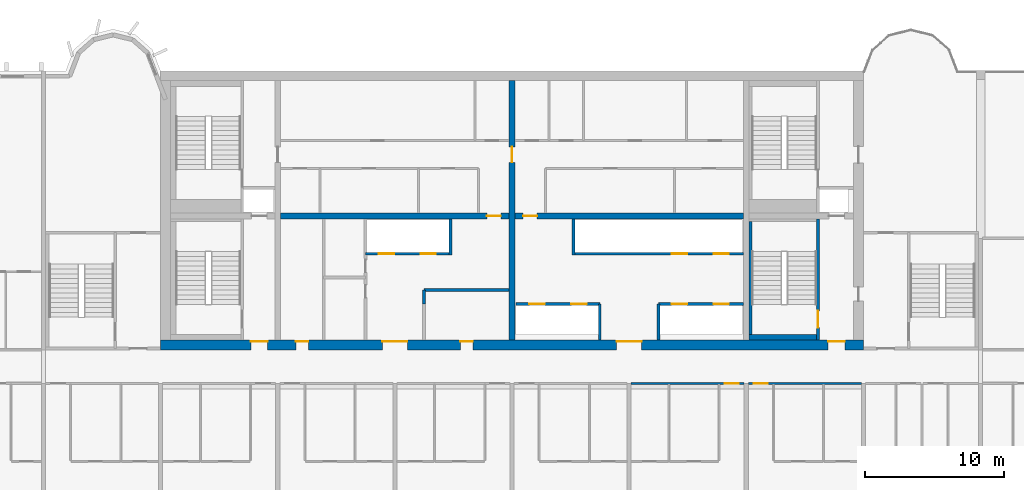
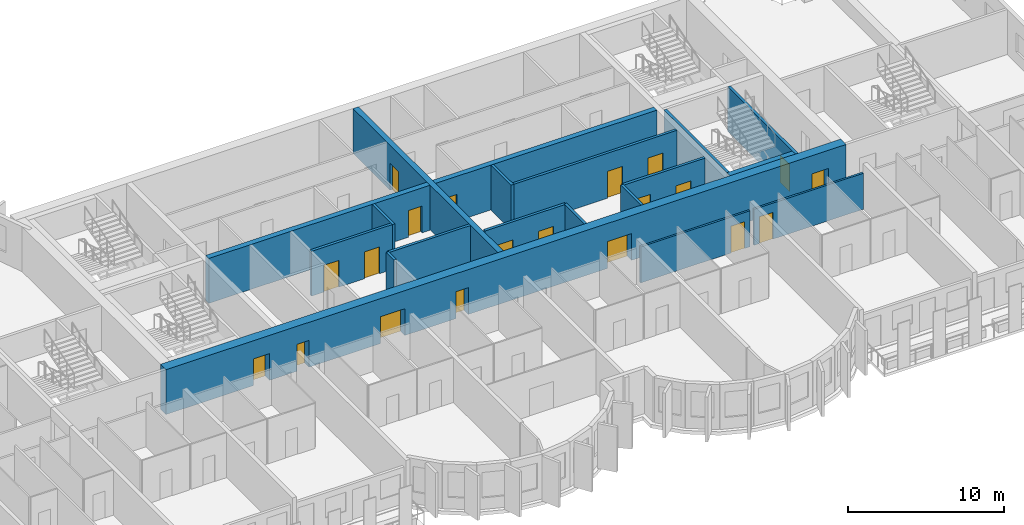
# One storey, part 6 of 13: 20 doors, 19 walls, 20 openings.
"""IFC4 building model written with IfcOpenShell, lengths in metres."""

from ifc_helpers import new_model, si_unit, direction, frame, frame_2d, origin, place, context, subcontext, project, spatial, rectangle, extrude, source, transform, mapped, material, layer, layer_set, type_object, element, fill, save


model = new_model("IFC4")

# Units and contexts
model_context = context("Model", 3, precision=1e-05, world=origin(), true_north=direction((0.0, 1.0)))
body_context = subcontext(model_context, "Body", "Model", "MODEL_VIEW")
ifc_project = project(units=[si_unit("LENGTHUNIT", "METRE"), si_unit("AREAUNIT", "SQUARE_METRE"), si_unit("VOLUMEUNIT", "CUBIC_METRE"), si_unit("PLANEANGLEUNIT", "RADIAN"), si_unit("MASSUNIT", "GRAM", prefix="KILO")], contexts=[model_context])

# Site, building, storey
site_placement = place(None, origin())
site = spatial("IfcSite", under=ifc_project, at=site_placement, CompositionType="ELEMENT")
building_placement = place(site_placement, origin())
building = spatial("IfcBuilding", under=site, at=building_placement, Name="Vanashikhar Sky Hotel", CompositionType="ELEMENT")
storey_placement = place(building_placement, frame((0.0, 0.0, 185.800048828125)))
storey = spatial("IfcBuildingStorey", under=building, at=storey_placement, Name="L45", CompositionType="ELEMENT", Elevation=185.800048828125)

# Wall, opening, door
ifc_material_1 = material(Name="Concrete M60", Category="concrete")
ifc_layer_1 = layer(ifc_material_1, 0.39990234375)
ifc_layer_set_1 = layer_set([ifc_layer_1], Name="RC core inner wall 400 Concrete M60")
wall_type_1 = type_object("IfcWallType", Name="RC core inner wall 400 Concrete M60", PredefinedType="SHEAR", material=ifc_layer_set_1)
shared_shape_1 = source(origin(), body_context, "Body", "SweptSolid", [
    extrude(rectangle(XDim=18.60009765625, YDim=0.39990234375, at=frame_2d((9.300048828125, 0.0))), origin(), (0.0, 0.0, 1.0), 3.52001953125),
])
wall_1_placement = place(storey_placement, frame((50.39990234375, 22.699951171875, 0.0), z_axis=(0.0, 0.0, 1.0), x_axis=(0.0, 1.0, 0.0)))
wall_1 = element("IfcWall", 1, at=wall_1_placement, inside=storey, type_object=wall_type_1, Name="KW-L45-KX2", PredefinedType="SHEAR", context=body_context, shape_type="MappedRepresentation", body=[
    mapped(shared_shape_1, transform((0.0, 0.0, 0.0), scale=1.0)),
])
shared_shape_2 = source(origin(), body_context, "Body", "SweptSolid", [
    extrude(rectangle(XDim=1.10009765625, YDim=2.10009765625, at=frame_2d((0.550048828125, 1.050048828125))), frame((0.0, 0.2099609375, 0.0), z_axis=(0.0, -1.0, 0.0), x_axis=(1.0, 0.0, 0.0)), (0.0, 0.0, 1.0), 0.419921875),
])
opening_1_placement = place(wall_1_placement, frame((12.75, 0.0, 0.0)))
opening_1 = element("IfcOpeningElement", 2, at=opening_1_placement, cuts=wall_1, Name="Opening DC-4-C", PredefinedType="OPENING", context=body_context, shape_type="MappedRepresentation", body=[
    mapped(shared_shape_2, transform((0.0, 0.0, 0.0), scale=1.0)),
])
ifc_material_2 = material(Name="Steel", Category="steel")
door_type_1 = type_object("IfcDoorType", Name="Service door 1100 FD60", OperationType="NOTDEFINED", PredefinedType="DOOR", material=ifc_material_2)
shared_shape_3 = source(origin(), body_context, "Body", "SweptSolid", [
    extrude(rectangle(XDim=1.10009765625, YDim=2.10009765625, at=frame_2d((0.550048828125, 1.050048828125))), frame((0.0, 0.02490234375, 0.0), z_axis=(0.0, -1.0, 0.0), x_axis=(1.0, 0.0, 0.0)), (0.0, 0.0, 1.0), 0.050048828125),
])
door_1_placement = place(opening_1_placement, origin())
door_1 = element("IfcDoor", 3, at=door_1_placement, inside=storey, type_object=door_type_1, Name="Service door 1100 FD60", OperationType="SINGLE_SWING_LEFT", OverallHeight=2.10009765625, OverallWidth=1.10009765625, PredefinedType="DOOR", context=body_context, shape_type="MappedRepresentation", body=[
    mapped(shared_shape_3, transform((0.0, 0.0, 0.0), scale=1.0)),
])
fill(opening_1, door_1)

# Wall, openings, doors
ifc_layer_2 = layer(ifc_material_1, 0.699951171875)
ifc_layer_set_2 = layer_set([ifc_layer_2], Name="RC core shell wall 700 Concrete M60")
wall_type_2 = type_object("IfcWallType", Name="RC core shell wall 700 Concrete M60", PredefinedType="SHEAR", material=ifc_layer_set_2)
shared_shape_4 = source(origin(), body_context, "Body", "SweptSolid", [
    extrude(rectangle(XDim=50.400146484375, YDim=0.699951171875, at=frame_2d((25.2001953125, 0.0))), origin(), (0.0, 0.0, 1.0), 3.52001953125),
])
wall_2_placement = place(storey_placement, frame((25.199951171875, 22.35009765625, 0.0), z_axis=(0.0, 0.0, 1.0), x_axis=(1.0, 0.0, 0.0)))
wall_2 = element("IfcWall", 4, at=wall_2_placement, inside=storey, type_object=wall_type_2, Name="KW-L45-KS", PredefinedType="SHEAR", context=body_context, shape_type="MappedRepresentation", body=[
    mapped(shared_shape_4, transform((0.0, 0.0, 0.0), scale=1.0)),
])
shared_shape_5 = source(origin(), body_context, "Body", "SweptSolid", [
    extrude(rectangle(XDim=1.800048828125, YDim=2.10009765625, at=frame_2d((0.89990234375, 1.050048828125))), frame((0.0, 0.35986328125, 0.0), z_axis=(0.0, -1.0, 0.0), x_axis=(1.0, 0.0, 0.0)), (0.0, 0.0, 1.0), 0.719970703125),
])
opening_2_placement = place(wall_2_placement, frame((15.89990234375, 0.0, 0.0)))
opening_2 = element("IfcOpeningElement", 5, at=opening_2_placement, cuts=wall_2, Name="Opening DC-3-A", PredefinedType="OPENING", context=body_context, shape_type="MappedRepresentation", body=[
    mapped(shared_shape_5, transform((0.0, 0.0, 0.0), scale=1.0)),
])
shared_shape_6 = source(origin(), body_context, "Body", "SweptSolid", [
    extrude(rectangle(XDim=0.89990234375, YDim=2.10009765625, at=frame_2d((0.449951171875, 1.050048828125))), frame((0.0, 0.35986328125, 0.0), z_axis=(0.0, -1.0, 0.0), x_axis=(1.0, 0.0, 0.0)), (0.0, 0.0, 1.0), 0.719970703125),
])
opening_3_placement = place(wall_2_placement, frame((9.699951171875, 0.0, 0.0)))
opening_3 = element("IfcOpeningElement", 6, at=opening_3_placement, cuts=wall_2, Name="Opening DC-4-A", PredefinedType="OPENING", context=body_context, shape_type="MappedRepresentation", body=[
    mapped(shared_shape_6, transform((0.0, 0.0, 0.0), scale=1.0)),
])
opening_4_placement = place(wall_2_placement, frame((21.5, 0.0, 0.0)))
opening_4 = element("IfcOpeningElement", 7, at=opening_4_placement, cuts=wall_2, Name="Opening DC-4-A", PredefinedType="OPENING", context=body_context, shape_type="MappedRepresentation", body=[
    mapped(shared_shape_6, transform((0.0, 0.0, 0.0), scale=1.0)),
])
opening_5_placement = place(wall_2_placement, frame((32.699951171875, 0.0, 0.0)))
opening_5 = element("IfcOpeningElement", 8, at=opening_5_placement, cuts=wall_2, Name="Opening DC-3-A", PredefinedType="OPENING", context=body_context, shape_type="MappedRepresentation", body=[
    mapped(shared_shape_5, transform((0.0, 0.0, 0.0), scale=1.0)),
])
shared_shape_7 = source(origin(), body_context, "Body", "SweptSolid", [
    extrude(rectangle(XDim=1.199951171875, YDim=2.10009765625, at=frame_2d((0.60009765625, 1.050048828125))), frame((0.0, 0.35986328125, 0.0), z_axis=(0.0, -1.0, 0.0), x_axis=(1.0, 0.0, 0.0)), (0.0, 0.0, 1.0), 0.719970703125),
])
opening_6_placement = place(wall_2_placement, frame((6.47509765625, 0.0, 0.0)))
opening_6 = element("IfcOpeningElement", 9, at=opening_6_placement, cuts=wall_2, Name="Opening DC-2", PredefinedType="OPENING", context=body_context, shape_type="MappedRepresentation", body=[
    mapped(shared_shape_7, transform((0.0, 0.0, 0.0), scale=1.0)),
])
opening_7_placement = place(wall_2_placement, frame((47.875, 0.0, 0.0)))
opening_7 = element("IfcOpeningElement", 10, at=opening_7_placement, cuts=wall_2, Name="Opening DC-2", PredefinedType="OPENING", context=body_context, shape_type="MappedRepresentation", body=[
    mapped(shared_shape_7, transform((0.0, 0.0, 0.0), scale=1.0)),
])
ifc_material_3 = material(Name="Glass", Category="glass")
door_type_2 = type_object("IfcDoorType", Name="Lift lobby entrance door 1800 FD30S", OperationType="NOTDEFINED", PredefinedType="DOOR", material=ifc_material_3)
shared_shape_8 = source(origin(), body_context, "Body", "SweptSolid", [
    extrude(rectangle(XDim=1.800048828125, YDim=2.10009765625, at=frame_2d((0.89990234375, 1.050048828125))), frame((0.0, 0.27490234375, 0.0), z_axis=(0.0, -1.0, 0.0), x_axis=(1.0, 0.0, 0.0)), (0.0, 0.0, 1.0), 0.050048828125),
])
door_2_placement = place(opening_2_placement, origin())
door_2 = element("IfcDoor", 11, at=door_2_placement, inside=storey, type_object=door_type_2, Name="Lift lobby entrance door 1800 FD30S", OperationType="DOUBLE_DOOR_SINGLE_SWING", OverallHeight=2.10009765625, OverallWidth=1.800048828125, PredefinedType="DOOR", context=body_context, shape_type="MappedRepresentation", body=[
    mapped(shared_shape_8, transform((0.0, 0.0, 0.0), scale=1.0)),
])
fill(opening_2, door_2)
door_3_placement = place(opening_5_placement, origin())
door_3 = element("IfcDoor", 12, at=door_3_placement, inside=storey, type_object=door_type_2, Name="Lift lobby entrance door 1800 FD30S", OperationType="DOUBLE_DOOR_SINGLE_SWING", OverallHeight=2.10009765625, OverallWidth=1.800048828125, PredefinedType="DOOR", context=body_context, shape_type="MappedRepresentation", body=[
    mapped(shared_shape_8, transform((0.0, 0.0, 0.0), scale=1.0)),
])
fill(opening_5, door_3)
door_type_3 = type_object("IfcDoorType", Name="Firefighting lobby door 1200 FD120", OperationType="NOTDEFINED", PredefinedType="DOOR", material=ifc_material_2)
shared_shape_9 = source(origin(), body_context, "Body", "SweptSolid", [
    extrude(rectangle(XDim=1.199951171875, YDim=2.10009765625, at=frame_2d((0.60009765625, 1.050048828125))), frame((0.0, 0.27490234375, 0.0), z_axis=(0.0, -1.0, 0.0), x_axis=(1.0, 0.0, 0.0)), (0.0, 0.0, 1.0), 0.050048828125),
])
door_4_placement = place(opening_6_placement, origin())
door_4 = element("IfcDoor", 13, at=door_4_placement, inside=storey, type_object=door_type_3, Name="Firefighting lobby door 1200 FD120", OperationType="SINGLE_SWING_RIGHT", OverallHeight=2.10009765625, OverallWidth=1.199951171875, PredefinedType="DOOR", context=body_context, shape_type="MappedRepresentation", body=[
    mapped(shared_shape_9, transform((0.0, 0.0, 0.0), scale=1.0)),
])
fill(opening_6, door_4)
door_5_placement = place(opening_7_placement, origin())
door_5 = element("IfcDoor", 14, at=door_5_placement, inside=storey, type_object=door_type_3, Name="Firefighting lobby door 1200 FD120", OperationType="SINGLE_SWING_RIGHT", OverallHeight=2.10009765625, OverallWidth=1.199951171875, PredefinedType="DOOR", context=body_context, shape_type="MappedRepresentation", body=[
    mapped(shared_shape_9, transform((0.0, 0.0, 0.0), scale=1.0)),
])
fill(opening_7, door_5)
door_type_4 = type_object("IfcDoorType", Name="Service door 900 FD60", OperationType="NOTDEFINED", PredefinedType="DOOR", material=ifc_material_2)
shared_shape_10 = source(origin(), body_context, "Body", "SweptSolid", [
    extrude(rectangle(XDim=0.89990234375, YDim=2.10009765625, at=frame_2d((0.449951171875, 1.050048828125))), frame((0.0, 0.27490234375, 0.0), z_axis=(0.0, -1.0, 0.0), x_axis=(1.0, 0.0, 0.0)), (0.0, 0.0, 1.0), 0.050048828125),
])
door_6_placement = place(opening_3_placement, origin())
door_6 = element("IfcDoor", 15, at=door_6_placement, inside=storey, type_object=door_type_4, Name="Service door 900 FD60", OperationType="SINGLE_SWING_LEFT", OverallHeight=2.10009765625, OverallWidth=0.89990234375, PredefinedType="DOOR", context=body_context, shape_type="MappedRepresentation", body=[
    mapped(shared_shape_10, transform((0.0, 0.0, 0.0), scale=1.0)),
])
fill(opening_3, door_6)
door_7_placement = place(opening_4_placement, origin())
door_7 = element("IfcDoor", 16, at=door_7_placement, inside=storey, type_object=door_type_4, Name="Service door 900 FD60", OperationType="SINGLE_SWING_RIGHT", OverallHeight=2.10009765625, OverallWidth=0.89990234375, PredefinedType="DOOR", context=body_context, shape_type="MappedRepresentation", body=[
    mapped(shared_shape_10, transform((0.0, 0.0, 0.0), scale=1.0)),
])
fill(opening_4, door_7)

# Wall, opening, door
shared_shape_11 = source(origin(), body_context, "Body", "SweptSolid", [
    extrude(rectangle(XDim=16.39990234375, YDim=0.39990234375, at=frame_2d((8.199951171875, 0.0))), origin(), (0.0, 0.0, 1.0), 3.52001953125),
])
wall_3_placement = place(storey_placement, frame((33.800048828125, 31.60009765625, 0.0), z_axis=(0.0, 0.0, 1.0), x_axis=(1.0, 0.0, 0.0)))
wall_3 = element("IfcWall", 17, at=wall_3_placement, inside=storey, type_object=wall_type_1, Name="KW-L45-KY2", PredefinedType="SHEAR", context=body_context, shape_type="MappedRepresentation", body=[
    mapped(shared_shape_11, transform((0.0, 0.0, 0.0), scale=1.0)),
])
shared_shape_12 = source(origin(), body_context, "Body", "SweptSolid", [
    extrude(rectangle(XDim=1.0, YDim=2.10009765625, at=frame_2d((0.5, 1.050048828125))), frame((0.0, 0.2099609375, 0.0), z_axis=(0.0, -1.0, 0.0), x_axis=(1.0, 0.0, 0.0)), (0.0, 0.0, 1.0), 0.419921875),
])
opening_8_placement = place(wall_3_placement, frame((14.800048828125, 0.0, 0.0)))
opening_8 = element("IfcOpeningElement", 18, at=opening_8_placement, cuts=wall_3, Name="Opening DC-4", PredefinedType="OPENING", context=body_context, shape_type="MappedRepresentation", body=[
    mapped(shared_shape_12, transform((0.0, 0.0, 0.0), scale=1.0)),
])
door_type_5 = type_object("IfcDoorType", Name="Service door 1000 FD60", OperationType="NOTDEFINED", PredefinedType="DOOR", material=ifc_material_2)
shared_shape_13 = source(origin(), body_context, "Body", "SweptSolid", [
    extrude(rectangle(XDim=1.0, YDim=2.10009765625, at=frame_2d((0.5, 1.050048828125))), frame((0.0, 0.02490234375, 0.0), z_axis=(0.0, -1.0, 0.0), x_axis=(1.0, 0.0, 0.0)), (0.0, 0.0, 1.0), 0.050048828125),
])
door_8_placement = place(opening_8_placement, origin())
door_8 = element("IfcDoor", 19, at=door_8_placement, inside=storey, type_object=door_type_5, Name="Service door 1000 FD60", OperationType="SINGLE_SWING_LEFT", OverallHeight=2.10009765625, OverallWidth=1.0, PredefinedType="DOOR", context=body_context, shape_type="MappedRepresentation", body=[
    mapped(shared_shape_13, transform((0.0, 0.0, 0.0), scale=1.0)),
])
fill(opening_8, door_8)

wall_4_placement = place(storey_placement, frame((50.60009765625, 31.60009765625, 0.0), z_axis=(0.0, 0.0, 1.0), x_axis=(1.0, 0.0, 0.0)))
wall_4 = element("IfcWall", 20, at=wall_4_placement, inside=storey, type_object=wall_type_1, Name="KW-L45-KY3", PredefinedType="SHEAR", context=body_context, shape_type="MappedRepresentation", body=[
    mapped(shared_shape_11, transform((0.0, 0.0, 0.0), scale=1.0)),
])
opening_9_placement = place(wall_4_placement, frame((0.60009765625, 0.0, 0.0)))
opening_9 = element("IfcOpeningElement", 21, at=opening_9_placement, cuts=wall_4, Name="Opening DC-4", PredefinedType="OPENING", context=body_context, shape_type="MappedRepresentation", body=[
    mapped(shared_shape_12, transform((0.0, 0.0, 0.0), scale=1.0)),
])
door_9_placement = place(opening_9_placement, origin())
door_9 = element("IfcDoor", 22, at=door_9_placement, inside=storey, type_object=door_type_5, Name="Service door 1000 FD60", OperationType="SINGLE_SWING_RIGHT", OverallHeight=2.10009765625, OverallWidth=1.0, PredefinedType="DOOR", context=body_context, shape_type="MappedRepresentation", body=[
    mapped(shared_shape_13, transform((0.0, 0.0, 0.0), scale=1.0)),
])
fill(opening_9, door_9)

# Wall, openings, doors
ifc_material_4 = material(Name="Concrete M40", Category="concrete")
ifc_layer_3 = layer(ifc_material_4, 0.199951171875)
ifc_layer_set_3 = layer_set([ifc_layer_3], Name="Shaft wall 200")
wall_type_3 = type_object("IfcWallType", Name="Shaft wall 200", PredefinedType="SOLIDWALL", material=ifc_layer_set_3)
shared_shape_14 = source(origin(), body_context, "Body", "SweptSolid", [
    extrude(rectangle(XDim=6.0, YDim=0.199951171875, at=frame_2d((3.0, 0.0))), origin(), (0.0, 0.0, 1.0), 3.52001953125),
])
wall_5_placement = place(storey_placement, frame((39.89990234375, 28.89990234375, 0.0), z_axis=(0.0, 0.0, 1.0), x_axis=(1.0, 0.0, 0.0)))
wall_5 = element("IfcWall", 23, at=wall_5_placement, inside=storey, type_object=wall_type_3, Name="Shaft wall 200", PredefinedType="SOLIDWALL", context=body_context, shape_type="MappedRepresentation", body=[
    mapped(shared_shape_14, transform((0.0, 0.0, 0.0), scale=1.0)),
])
shared_shape_15 = source(origin(), body_context, "Body", "SweptSolid", [
    extrude(rectangle(XDim=1.10009765625, YDim=2.10009765625, at=frame_2d((0.550048828125, 1.050048828125))), frame((0.0, 0.10986328125, 0.0), z_axis=(0.0, -1.0, 0.0), x_axis=(1.0, 0.0, 0.0)), (0.0, 0.0, 1.0), 0.219970703125),
])
opening_10_placement = place(wall_5_placement, frame((0.949951171875, 0.0, 0.0)))
opening_10 = element("IfcOpeningElement", 24, at=opening_10_placement, cuts=wall_5, Name="Opening LD", PredefinedType="OPENING", context=body_context, shape_type="MappedRepresentation", body=[
    mapped(shared_shape_15, transform((0.0, 0.0, 0.0), scale=1.0)),
])
opening_11_placement = place(wall_5_placement, frame((3.949951171875, 0.0, 0.0)))
opening_11 = element("IfcOpeningElement", 25, at=opening_11_placement, cuts=wall_5, Name="Opening LD", PredefinedType="OPENING", context=body_context, shape_type="MappedRepresentation", body=[
    mapped(shared_shape_15, transform((0.0, 0.0, 0.0), scale=1.0)),
])
ifc_material_5 = material(Name="Stainless steel", Category="steel")
door_type_6 = type_object("IfcDoorType", Name="Lift landing door 1100", OperationType="NOTDEFINED", PredefinedType="DOOR", material=ifc_material_5)
door_10_placement = place(opening_10_placement, origin())
door_10 = element("IfcDoor", 26, at=door_10_placement, inside=storey, type_object=door_type_6, Name="Lift landing door 1100", OperationType="SLIDING_TO_LEFT", OverallHeight=2.10009765625, OverallWidth=1.10009765625, PredefinedType="DOOR", context=body_context, shape_type="MappedRepresentation", body=[
    mapped(shared_shape_3, transform((0.0, 0.0, 0.0), scale=1.0)),
])
fill(opening_10, door_10)
door_11_placement = place(opening_11_placement, origin())
door_11 = element("IfcDoor", 27, at=door_11_placement, inside=storey, type_object=door_type_6, Name="Lift landing door 1100", OperationType="SLIDING_TO_RIGHT", OverallHeight=2.10009765625, OverallWidth=1.10009765625, PredefinedType="DOOR", context=body_context, shape_type="MappedRepresentation", body=[
    mapped(shared_shape_3, transform((0.0, 0.0, 0.0), scale=1.0)),
])
fill(opening_11, door_11)

wall_6_placement = place(storey_placement, frame((56.699951171875, 25.300048828125, 0.0), z_axis=(0.0, 0.0, 1.0), x_axis=(-1.0, 0.0, 0.0)))
wall_6 = element("IfcWall", 28, at=wall_6_placement, inside=storey, type_object=wall_type_3, Name="Shaft wall 200", PredefinedType="SOLIDWALL", context=body_context, shape_type="MappedRepresentation", body=[
    mapped(shared_shape_14, transform((0.0, 0.0, 0.0), scale=1.0)),
])
opening_12_placement = place(wall_6_placement, frame((0.949951171875, 0.0, 0.0)))
opening_12 = element("IfcOpeningElement", 29, at=opening_12_placement, cuts=wall_6, Name="Opening LD", PredefinedType="OPENING", context=body_context, shape_type="MappedRepresentation", body=[
    mapped(shared_shape_15, transform((0.0, 0.0, 0.0), scale=1.0)),
])
opening_13_placement = place(wall_6_placement, frame((3.949951171875, 0.0, 0.0)))
opening_13 = element("IfcOpeningElement", 30, at=opening_13_placement, cuts=wall_6, Name="Opening LD", PredefinedType="OPENING", context=body_context, shape_type="MappedRepresentation", body=[
    mapped(shared_shape_15, transform((0.0, 0.0, 0.0), scale=1.0)),
])
door_12_placement = place(opening_12_placement, origin())
door_12 = element("IfcDoor", 31, at=door_12_placement, inside=storey, type_object=door_type_6, Name="Lift landing door 1100", OperationType="SLIDING_TO_RIGHT", OverallHeight=2.10009765625, OverallWidth=1.10009765625, PredefinedType="DOOR", context=body_context, shape_type="MappedRepresentation", body=[
    mapped(shared_shape_3, transform((0.0, 0.0, 0.0), scale=1.0)),
])
fill(opening_12, door_12)
door_13_placement = place(opening_13_placement, origin())
door_13 = element("IfcDoor", 32, at=door_13_placement, inside=storey, type_object=door_type_6, Name="Lift landing door 1100", OperationType="SLIDING_TO_LEFT", OverallHeight=2.10009765625, OverallWidth=1.10009765625, PredefinedType="DOOR", context=body_context, shape_type="MappedRepresentation", body=[
    mapped(shared_shape_3, transform((0.0, 0.0, 0.0), scale=1.0)),
])
fill(opening_13, door_13)

# Walls
ifc_material_6 = material(Name="Concrete M50", Category="concrete")
ifc_layer_4 = layer(ifc_material_6, 0.199951171875)
ifc_layer_set_4 = layer_set([ifc_layer_4], Name="Stair infill wall 200")
wall_type_4 = type_object("IfcWallType", Name="Stair infill wall 200", PredefinedType="SOLIDWALL", material=ifc_layer_set_4)
shared_shape_16 = source(origin(), body_context, "Body", "SweptSolid", [
    extrude(rectangle(XDim=8.099853515625, YDim=0.199951171875, at=frame_2d((4.0498046875, 0.0))), origin(), (0.0, 0.0, 1.0), 3.52001953125),
])
wall_7_placement = place(storey_placement, frame((67.5, 23.10009765625, 0.0), z_axis=(0.0, 0.0, 1.0), x_axis=(0.0, 1.0, 0.0)))
element("IfcWall", 33, at=wall_7_placement, inside=storey, type_object=wall_type_4, Name="Stair infill wall 200", PredefinedType="SOLIDWALL", context=body_context, shape_type="MappedRepresentation", body=[
    mapped(shared_shape_16, transform((0.0, 0.0, 0.0), scale=1.0)),
])
shared_shape_17 = source(origin(), body_context, "Body", "SweptSolid", [
    extrude(rectangle(XDim=2.60009765625, YDim=0.199951171875, at=frame_2d((1.300048828125, 0.0))), origin(), (0.0, 0.0, 1.0), 3.52001953125),
])
for number, where, z_axis, x_axis, name in (
    (34, (60.89990234375, 22.699951171875, 0.0), (0.0, 0.0, 1.0), (0.0, 1.0, 0.0), "Shaft wall 200"),
    (35, (56.699951171875, 22.699951171875, 0.0), (0.0, 0.0, 1.0), (0.0, 1.0, 0.0), "Shaft wall 200"),
):
    element("IfcWall", number, at=place(storey_placement, frame(where, z_axis=z_axis, x_axis=x_axis)), inside=storey, type_object=wall_type_3, Name=name, PredefinedType="SOLIDWALL", context=body_context, shape_type="MappedRepresentation", body=[
        mapped(shared_shape_17, transform((0.0, 0.0, 0.0), scale=1.0)),
    ])
shared_shape_18 = source(origin(), body_context, "Body", "SweptSolid", [
    extrude(rectangle(XDim=2.599853515625, YDim=0.199951171875, at=frame_2d((1.2998046875, 0.0))), origin(), (0.0, 0.0, 1.0), 3.52001953125),
])
for number, where, z_axis, x_axis, name in (
    (36, (46.0, 28.800048828125, 0.0), (0.0, 0.0, 1.0), (0.0, 1.0, 0.0), "Shaft wall 200"),
    (37, (54.800048828125, 28.800048828125, 0.0), (0.0, 0.0, 1.0), (0.0, 1.0, 0.0), "Shaft wall 200"),
):
    element("IfcWall", number, at=place(storey_placement, frame(where, z_axis=z_axis, x_axis=x_axis)), inside=storey, type_object=wall_type_3, Name=name, PredefinedType="SOLIDWALL", context=body_context, shape_type="MappedRepresentation", body=[
        mapped(shared_shape_18, transform((0.0, 0.0, 0.0), scale=1.0)),
    ])
ifc_material_7 = material(Name="Gypsum board partition")
ifc_layer_5 = layer(ifc_material_7, 0.14990234375)
ifc_layer_set_5 = layer_set([ifc_layer_5], Name="Service partition 150")
wall_type_5 = type_object("IfcWallType", Name="Service partition 150", PredefinedType="PARTITIONING", material=ifc_layer_set_5)
shared_shape_19 = source(origin(), body_context, "Body", "SweptSolid", [
    extrude(rectangle(XDim=6.099853515625, YDim=0.199951171875, at=frame_2d((3.0498046875, 0.0))), origin(), (0.0, 0.0, 1.0), 3.52001953125),
])
wall_8_placement = place(storey_placement, frame((44.10009765625, 26.300048828125, 0.0), z_axis=(0.0, 0.0, 1.0), x_axis=(1.0, 0.0, 0.0)))
element("IfcWall", 38, at=wall_8_placement, inside=storey, type_object=wall_type_5, Name="Service partition 150", PredefinedType="PARTITIONING", context=body_context, shape_type="MappedRepresentation", body=[
    mapped(shared_shape_19, transform((0.0, 0.0, 0.0), scale=1.0)),
])
shared_shape_20 = source(origin(), body_context, "Body", "SweptSolid", [
    extrude(rectangle(XDim=1.0, YDim=0.199951171875, at=frame_2d((0.5, 0.0))), origin(), (0.0, 0.0, 1.0), 3.52001953125),
])
wall_9_placement = place(storey_placement, frame((44.10009765625, 25.300048828125, 0.0), z_axis=(0.0, 0.0, 1.0), x_axis=(0.0, 1.0, 0.0)))
element("IfcWall", 39, at=wall_9_placement, inside=storey, type_object=wall_type_5, Name="Service partition 150", PredefinedType="PARTITIONING", context=body_context, shape_type="MappedRepresentation", body=[
    mapped(shared_shape_20, transform((0.0, 0.0, 0.0), scale=1.0)),
])

# Wall, openings, doors
shared_shape_21 = source(origin(), body_context, "Body", "SweptSolid", [
    extrude(rectangle(XDim=6.10009765625, YDim=0.199951171875, at=frame_2d((3.050048828125, 0.0))), origin(), (0.0, 0.0, 1.0), 3.52001953125),
])
wall_10_placement = place(storey_placement, frame((67.0, 25.300048828125, 0.0), z_axis=(0.0, 0.0, 1.0), x_axis=(-1.0, 0.0, 0.0)))
wall_10 = element("IfcWall", 40, at=wall_10_placement, inside=storey, type_object=wall_type_3, Name="Shaft wall 200", PredefinedType="SOLIDWALL", context=body_context, shape_type="MappedRepresentation", body=[
    mapped(shared_shape_21, transform((0.0, 0.0, 0.0), scale=1.0)),
])
opening_14_placement = place(wall_10_placement, frame((1.050048828125, 0.0, 0.0)))
opening_14 = element("IfcOpeningElement", 41, at=opening_14_placement, cuts=wall_10, Name="Opening LD", PredefinedType="OPENING", context=body_context, shape_type="MappedRepresentation", body=[
    mapped(shared_shape_15, transform((0.0, 0.0, 0.0), scale=1.0)),
])
opening_15_placement = place(wall_10_placement, frame((4.050048828125, 0.0, 0.0)))
opening_15 = element("IfcOpeningElement", 42, at=opening_15_placement, cuts=wall_10, Name="Opening LD", PredefinedType="OPENING", context=body_context, shape_type="MappedRepresentation", body=[
    mapped(shared_shape_15, transform((0.0, 0.0, 0.0), scale=1.0)),
])
door_14_placement = place(opening_14_placement, origin())
door_14 = element("IfcDoor", 43, at=door_14_placement, inside=storey, type_object=door_type_6, Name="Lift landing door 1100", OperationType="SLIDING_TO_RIGHT", OverallHeight=2.10009765625, OverallWidth=1.10009765625, PredefinedType="DOOR", context=body_context, shape_type="MappedRepresentation", body=[
    mapped(shared_shape_3, transform((0.0, 0.0, 0.0), scale=1.0)),
])
fill(opening_14, door_14)
door_15_placement = place(opening_15_placement, origin())
door_15 = element("IfcDoor", 44, at=door_15_placement, inside=storey, type_object=door_type_6, Name="Lift landing door 1100", OperationType="SLIDING_TO_LEFT", OverallHeight=2.10009765625, OverallWidth=1.10009765625, PredefinedType="DOOR", context=body_context, shape_type="MappedRepresentation", body=[
    mapped(shared_shape_3, transform((0.0, 0.0, 0.0), scale=1.0)),
])
fill(opening_15, door_15)

shared_shape_22 = source(origin(), body_context, "Body", "SweptSolid", [
    extrude(rectangle(XDim=12.10009765625, YDim=0.199951171875, at=frame_2d((6.050048828125, 0.0))), origin(), (0.0, 0.0, 1.0), 3.52001953125),
])
wall_11_placement = place(storey_placement, frame((67.0, 28.89990234375, 0.0), z_axis=(0.0, 0.0, 1.0), x_axis=(-1.0, 0.0, 0.0)))
wall_11 = element("IfcWall", 45, at=wall_11_placement, inside=storey, type_object=wall_type_3, Name="Shaft wall 200", PredefinedType="SOLIDWALL", context=body_context, shape_type="MappedRepresentation", body=[
    mapped(shared_shape_22, transform((0.0, 0.0, 0.0), scale=1.0)),
])
opening_16_placement = place(wall_11_placement, frame((1.050048828125, 0.0, 0.0)))
opening_16 = element("IfcOpeningElement", 46, at=opening_16_placement, cuts=wall_11, Name="Opening LD", PredefinedType="OPENING", context=body_context, shape_type="MappedRepresentation", body=[
    mapped(shared_shape_15, transform((0.0, 0.0, 0.0), scale=1.0)),
])
opening_17_placement = place(wall_11_placement, frame((4.050048828125, 0.0, 0.0)))
opening_17 = element("IfcOpeningElement", 47, at=opening_17_placement, cuts=wall_11, Name="Opening LD", PredefinedType="OPENING", context=body_context, shape_type="MappedRepresentation", body=[
    mapped(shared_shape_15, transform((0.0, 0.0, 0.0), scale=1.0)),
])
door_16_placement = place(opening_16_placement, origin())
door_16 = element("IfcDoor", 48, at=door_16_placement, inside=storey, type_object=door_type_6, Name="Lift landing door 1100", OperationType="SLIDING_TO_RIGHT", OverallHeight=2.10009765625, OverallWidth=1.10009765625, PredefinedType="DOOR", context=body_context, shape_type="MappedRepresentation", body=[
    mapped(shared_shape_3, transform((0.0, 0.0, 0.0), scale=1.0)),
])
fill(opening_16, door_16)
door_17_placement = place(opening_17_placement, origin())
door_17 = element("IfcDoor", 49, at=door_17_placement, inside=storey, type_object=door_type_6, Name="Lift landing door 1100", OperationType="SLIDING_TO_LEFT", OverallHeight=2.10009765625, OverallWidth=1.10009765625, PredefinedType="DOOR", context=body_context, shape_type="MappedRepresentation", body=[
    mapped(shared_shape_3, transform((0.0, 0.0, 0.0), scale=1.0)),
])
fill(opening_17, door_17)

# Wall, opening, door
ifc_layer_6 = layer(ifc_material_6, 0.199951171875)
ifc_layer_set_6 = layer_set([ifc_layer_6], Name="Stair wall 200")
wall_type_6 = type_object("IfcWallType", Name="Stair wall 200", PredefinedType="SOLIDWALL", material=ifc_layer_set_6)
shared_shape_23 = source(origin(), body_context, "Body", "SweptSolid", [
    extrude(rectangle(XDim=8.699951171875, YDim=0.199951171875, at=frame_2d((4.35009765625, 0.0))), origin(), (0.0, 0.0, 1.0), 3.52001953125),
])
wall_12_placement = place(storey_placement, frame((72.35009765625, 22.699951171875, 0.0), z_axis=(0.0, 0.0, 1.0), x_axis=(0.0, 1.0, 0.0)))
wall_12 = element("IfcWall", 50, at=wall_12_placement, inside=storey, type_object=wall_type_6, Name="Stair wall 200", PredefinedType="SOLIDWALL", context=body_context, shape_type="MappedRepresentation", body=[
    mapped(shared_shape_23, transform((0.0, 0.0, 0.0), scale=1.0)),
])
shared_shape_24 = source(origin(), body_context, "Body", "SweptSolid", [
    extrude(rectangle(XDim=1.199951171875, YDim=2.10009765625, at=frame_2d((0.60009765625, 1.050048828125))), frame((0.0, 0.10986328125, 0.0), z_axis=(0.0, -1.0, 0.0), x_axis=(1.0, 0.0, 0.0)), (0.0, 0.0, 1.0), 0.219970703125),
])
opening_18_placement = place(wall_12_placement, frame((0.89990234375, 0.0, 0.0)))
opening_18 = element("IfcOpeningElement", 51, at=opening_18_placement, cuts=wall_12, Name="Opening DC-1", PredefinedType="OPENING", context=body_context, shape_type="MappedRepresentation", body=[
    mapped(shared_shape_24, transform((0.0, 0.0, 0.0), scale=1.0)),
])
door_type_7 = type_object("IfcDoorType", Name="Stair door 1200 FD120", OperationType="NOTDEFINED", PredefinedType="DOOR", material=ifc_material_2)
shared_shape_25 = source(origin(), body_context, "Body", "SweptSolid", [
    extrude(rectangle(XDim=1.199951171875, YDim=2.10009765625, at=frame_2d((0.60009765625, 1.050048828125))), frame((0.0, 0.02490234375, 0.0), z_axis=(0.0, -1.0, 0.0), x_axis=(1.0, 0.0, 0.0)), (0.0, 0.0, 1.0), 0.050048828125),
])
door_18_placement = place(opening_18_placement, origin())
door_18 = element("IfcDoor", 52, at=door_18_placement, inside=storey, type_object=door_type_7, Name="Stair door 1200 FD120", OperationType="SINGLE_SWING_RIGHT", OverallHeight=2.10009765625, OverallWidth=1.199951171875, PredefinedType="DOOR", context=body_context, shape_type="MappedRepresentation", body=[
    mapped(shared_shape_25, transform((0.0, 0.0, 0.0), scale=1.0)),
])
fill(opening_18, door_18)

# Wall
ifc_layer_7 = layer(ifc_material_6, 0.39990234375)
ifc_layer_set_7 = layer_set([ifc_layer_7], Name="Stair infill wall 400")
wall_type_7 = type_object("IfcWallType", Name="Stair infill wall 400", PredefinedType="SOLIDWALL", material=ifc_layer_set_7)
shared_shape_26 = source(origin(), body_context, "Body", "SweptSolid", [
    extrude(rectangle(XDim=4.85009765625, YDim=0.39990234375, at=frame_2d((2.425048828125, 0.0))), origin(), (0.0, 0.0, 1.0), 3.52001953125),
])
wall_13_placement = place(storey_placement, frame((67.39990234375, 22.89990234375, 0.0), z_axis=(0.0, 0.0, 1.0), x_axis=(1.0, 0.0, 0.0)))
element("IfcWall", 53, at=wall_13_placement, inside=storey, type_object=wall_type_7, Name="Stair infill wall 400", PredefinedType="SOLIDWALL", context=body_context, shape_type="MappedRepresentation", body=[
    mapped(shared_shape_26, transform((0.0, 0.0, 0.0), scale=1.0)),
])

# Wall, opening, door
ifc_material_8 = material(Name="Gypsum plasterboard partition")
ifc_layer_8 = layer(ifc_material_8, 0.14990234375)
ifc_layer_set_8 = layer_set([ifc_layer_8], Name="Corridor and demising partition 150")
wall_type_8 = type_object("IfcWallType", Name="Corridor and demising partition 150", PredefinedType="PARTITIONING", material=ifc_layer_set_8)
shared_shape_27 = source(origin(), body_context, "Body", "SweptSolid", [
    extrude(rectangle(XDim=8.10009765625, YDim=0.14990234375, at=frame_2d((4.050048828125, 0.0))), origin(), (0.0, 0.0, 1.0), 2.820068359375),
])
wall_14_placement = place(storey_placement, frame((58.949951171875, 19.60009765625, 0.0), z_axis=(0.0, 0.0, 1.0), x_axis=(1.0, 0.0, 0.0)))
wall_14 = element("IfcWall", 54, at=wall_14_placement, inside=storey, type_object=wall_type_8, Name="W-L45-PW038", PredefinedType="PARTITIONING", context=body_context, shape_type="MappedRepresentation", body=[
    mapped(shared_shape_27, transform((0.0, 0.0, 0.0), scale=1.0)),
])
shared_shape_28 = source(origin(), body_context, "Body", "SweptSolid", [
    extrude(rectangle(XDim=1.0, YDim=2.10009765625, at=frame_2d((0.5, 1.050048828125))), frame((0.0, 0.0849609375, 0.0), z_axis=(0.0, -1.0, 0.0), x_axis=(1.0, 0.0, 0.0)), (0.0, 0.0, 1.0), 0.169921875),
])
opening_19_placement = place(wall_14_placement, frame((6.699951171875, 0.0, 0.0)))
opening_19 = element("IfcOpeningElement", 55, at=opening_19_placement, cuts=wall_14, Name="Opening D-01", PredefinedType="OPENING", context=body_context, shape_type="MappedRepresentation", body=[
    mapped(shared_shape_28, transform((0.0, 0.0, 0.0), scale=1.0)),
])
ifc_material_9 = material(Name="Timber fire door", Category="wood")
door_type_8 = type_object("IfcDoorType", Name="Guest entry door 1000 FD30S", OperationType="NOTDEFINED", PredefinedType="DOOR", material=ifc_material_9)
door_19_placement = place(opening_19_placement, origin())
door_19 = element("IfcDoor", 56, at=door_19_placement, inside=storey, type_object=door_type_8, Name="D-L45-023", OperationType="SINGLE_SWING_RIGHT", OverallHeight=2.10009765625, OverallWidth=1.0, PredefinedType="DOOR", context=body_context, shape_type="MappedRepresentation", body=[
    mapped(shared_shape_13, transform((0.0, 0.0, 0.0), scale=1.0)),
])
fill(opening_19, door_19)

shared_shape_29 = source(origin(), body_context, "Body", "SweptSolid", [
    extrude(rectangle(XDim=8.099853515625, YDim=0.14990234375, at=frame_2d((4.0498046875, 0.0))), origin(), (0.0, 0.0, 1.0), 2.820068359375),
])
wall_15_placement = place(storey_placement, frame((67.35009765625, 19.60009765625, 0.0), z_axis=(0.0, 0.0, 1.0), x_axis=(1.0, 0.0, 0.0)))
wall_15 = element("IfcWall", 57, at=wall_15_placement, inside=storey, type_object=wall_type_8, Name="W-L45-PW043", PredefinedType="PARTITIONING", context=body_context, shape_type="MappedRepresentation", body=[
    mapped(shared_shape_29, transform((0.0, 0.0, 0.0), scale=1.0)),
])
opening_20_placement = place(wall_15_placement, frame((0.39990234375, 0.0, 0.0)))
opening_20 = element("IfcOpeningElement", 58, at=opening_20_placement, cuts=wall_15, Name="Opening D-01", PredefinedType="OPENING", context=body_context, shape_type="MappedRepresentation", body=[
    mapped(shared_shape_28, transform((0.0, 0.0, 0.0), scale=1.0)),
])
door_20_placement = place(opening_20_placement, origin())
door_20 = element("IfcDoor", 59, at=door_20_placement, inside=storey, type_object=door_type_8, Name="D-L45-026", OperationType="SINGLE_SWING_LEFT", OverallHeight=2.10009765625, OverallWidth=1.0, PredefinedType="DOOR", context=body_context, shape_type="MappedRepresentation", body=[
    mapped(shared_shape_13, transform((0.0, 0.0, 0.0), scale=1.0)),
])
fill(opening_20, door_20)

save(model, "model.ifc")
